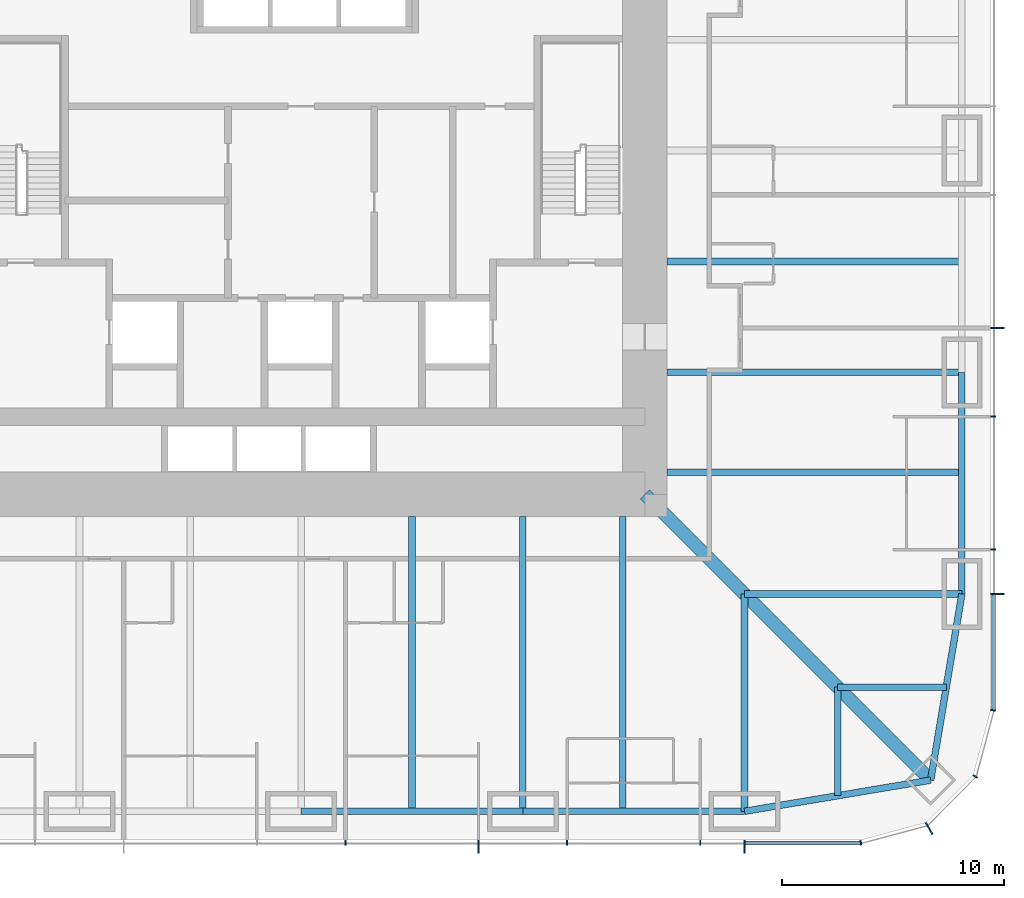
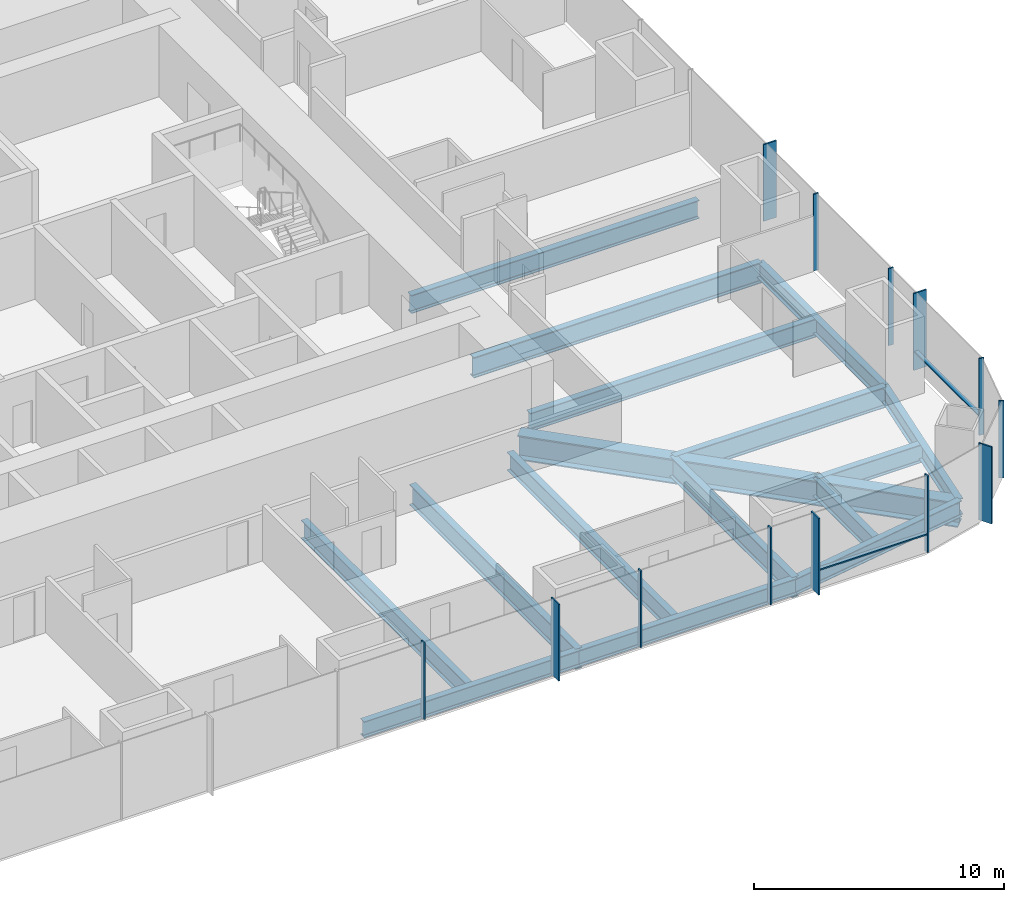
# One storey, part 4 of 16: 16 beams, 15 members, 3 elements without a shape of their own.
"""IFC4 building model written with IfcOpenShell, lengths in metres."""

from ifc_helpers import new_model, si_unit, direction, frame, origin, origin_2d, place, context, subcontext, project, spatial, rectangle, i_section, extrude, material, material_profile, profile_set, type_object, element, aggregate, save


model = new_model("IFC4")

# Units and contexts
model_context = context("Model", 3, precision=1e-05, world=origin(), true_north=direction((0.0, 1.0)))
body_context = subcontext(model_context, "Body", "Model", "MODEL_VIEW")
ifc_project = project(units=[si_unit("LENGTHUNIT", "METRE"), si_unit("AREAUNIT", "SQUARE_METRE"), si_unit("VOLUMEUNIT", "CUBIC_METRE"), si_unit("PLANEANGLEUNIT", "RADIAN"), si_unit("MASSUNIT", "GRAM", prefix="KILO")], contexts=[model_context])

# Site, building, storey
site_placement = place(None, origin())
site = spatial("IfcSite", under=ifc_project, at=site_placement, CompositionType="ELEMENT")
building_placement = place(site_placement, origin())
building = spatial("IfcBuilding", under=site, at=building_placement, Name="Khuree Lantern Residences", CompositionType="ELEMENT")
storey_placement = place(building_placement, frame((0.0, 0.0, 81.0)))
storey = spatial("IfcBuildingStorey", under=building, at=storey_placement, Name="L20", CompositionType="ELEMENT", Elevation=81.0)

# Beams
ifc_material_1 = material(Name="Steel S355", Category="steel")
ifc_material_profile_1 = material_profile(ifc_material_1, i_section(OverallWidth=0.300048828125, OverallDepth=0.889892578125, WebThickness=0.01611328125, FlangeThickness=0.030029296875, FilletRadius=0.030029296875, at=origin_2d()), Name="HE 900 A")
ifc_profile_set_1 = profile_set([ifc_material_profile_1], Name="Steel S355")
beam_type_1 = type_object("IfcBeamType", Name="B-14 SECONDARY BEAM HE 900 A", PredefinedType="BEAM", material=ifc_profile_set_1)
for number, where, z_axis, x_axis, name in (
    (1, (29.800048828125, -5.0, -0.695068359375), (-1.0, 0.0, 0.0), (0.0, -1.0, 0.0), "Secondary beam E4"),
    (2, (29.800048828125, -14.5, -0.695068359375), (-1.0, 0.0, 0.0), (0.0, -1.0, 0.0), "Secondary beam E5"),
):
    element("IfcBeam", number, at=place(storey_placement, frame(where, z_axis=z_axis, x_axis=x_axis)), inside=storey, type_object=beam_type_1, Name=name, PredefinedType="BEAM", context=body_context, shape_type="SweptSolid", body=[
        extrude(i_section(OverallWidth=0.300048828125, OverallDepth=0.889892578125, WebThickness=0.01611328125, FlangeThickness=0.030029296875, FilletRadius=0.030029296875, at=origin_2d()), origin(), (0.0, 0.0, 1.0), 13.300048828125),
    ])
for number, where, z_axis, x_axis, name in (
    (3, (29.09716796875, -24.197021484375, -0.695068359375), (-1.0, 0.0, 0.0), (0.0, -1.0, 0.0), "Secondary beam E6"),
    (4, (24.197021484375, -29.09716796875, -0.695068359375), (0.0, 1.0, 0.0), (-1.0, 0.0, 0.0), "Secondary beam S1"),
):
    element("IfcBeam", number, at=place(storey_placement, frame(where, z_axis=z_axis, x_axis=x_axis)), inside=storey, type_object=beam_type_1, Name=name, PredefinedType="BEAM", context=body_context, shape_type="SweptSolid", body=[
        extrude(i_section(OverallWidth=0.300048828125, OverallDepth=0.889892578125, WebThickness=0.01611328125, FlangeThickness=0.030029296875, FilletRadius=0.030029296875, at=origin_2d()), origin(), (0.0, 0.0, 1.0), 4.900146484375),
    ])
for number, where, z_axis, x_axis, name in (
    (5, (14.5, -29.800048828125, -0.695068359375), (0.0, 1.0, 0.0), (-1.0, 0.0, 0.0), "Secondary beam S2"),
    (6, (5.0, -29.800048828125, -0.695068359375), (0.0, 1.0, 0.0), (-1.0, 0.0, 0.0), "Secondary beam S3"),
):
    element("IfcBeam", number, at=place(storey_placement, frame(where, z_axis=z_axis, x_axis=x_axis)), inside=storey, type_object=beam_type_1, Name=name, PredefinedType="BEAM", context=body_context, shape_type="SweptSolid", body=[
        extrude(i_section(OverallWidth=0.300048828125, OverallDepth=0.889892578125, WebThickness=0.01611328125, FlangeThickness=0.030029296875, FilletRadius=0.030029296875, at=origin_2d()), origin(), (0.0, 0.0, 1.0), 13.300048828125),
    ])
ifc_material_profile_2 = material_profile(ifc_material_1, i_section(OverallWidth=0.300048828125, OverallDepth=0.7900390625, WebThickness=0.014892578125, FlangeThickness=0.028076171875, FilletRadius=0.030029296875, at=origin_2d()), Name="HE 800 A")
ifc_profile_set_2 = profile_set([ifc_material_profile_2], Name="Steel S355")
beam_type_2 = type_object("IfcBeamType", Name="E-14 SPANDREL BEAM HE 800 A", PredefinedType="SPANDREL", material=ifc_profile_set_2)
beam_1_placement = place(storey_placement, frame((29.800048828125, -10.0, -0.64501953125), z_axis=(0.0, -1.0, 0.0), x_axis=(1.0, 0.0, 0.0)))
element("IfcBeam", 7, at=beam_1_placement, inside=storey, type_object=beam_type_2, Name="Spandrel beam E5", PredefinedType="SPANDREL", context=body_context, shape_type="SweptSolid", body=[
    extrude(i_section(OverallWidth=0.300048828125, OverallDepth=0.7900390625, WebThickness=0.014892578125, FlangeThickness=0.028076171875, FilletRadius=0.030029296875, at=origin_2d()), origin(), (0.0, 0.0, 1.0), 10.0),
])
for number, where, z_axis, x_axis, name in (
    (8, (29.800048828125, -20.0, -0.64501953125), (-0.165199022349, -0.986260251158, 0.0), (0.986260251158, -0.165199022349, 0.0), "Spandrel beam E6"),
    (9, (28.39404296875, -28.39404296875, -0.64501953125), (-0.986260251158, -0.165199022349, 0.0), (0.165199022349, -0.986260251158, 0.0), "Spandrel beam S1"),
):
    element("IfcBeam", number, at=place(storey_placement, frame(where, z_axis=z_axis, x_axis=x_axis)), inside=storey, type_object=beam_type_2, Name=name, PredefinedType="SPANDREL", context=body_context, shape_type="SweptSolid", body=[
        extrude(i_section(OverallWidth=0.300048828125, OverallDepth=0.7900390625, WebThickness=0.014892578125, FlangeThickness=0.028076171875, FilletRadius=0.030029296875, at=origin_2d()), origin(), (0.0, 0.0, 1.0), 8.510986328125),
    ])
for number, where, z_axis, x_axis, name in (
    (10, (20.0, -29.800048828125, -0.64501953125), (-1.0, 0.0, 0.0), (0.0, -1.0, 0.0), "Spandrel beam S2"),
    (11, (10.0, -29.800048828125, -0.64501953125), (-1.0, 0.0, 0.0), (0.0, -1.0, 0.0), "Spandrel beam S3"),
):
    element("IfcBeam", number, at=place(storey_placement, frame(where, z_axis=z_axis, x_axis=x_axis)), inside=storey, type_object=beam_type_2, Name=name, PredefinedType="SPANDREL", context=body_context, shape_type="SweptSolid", body=[
        extrude(i_section(OverallWidth=0.300048828125, OverallDepth=0.7900390625, WebThickness=0.014892578125, FlangeThickness=0.028076171875, FilletRadius=0.030029296875, at=origin_2d()), origin(), (0.0, 0.0, 1.0), 10.0),
    ])

# Curtain wall, member
ifc_material_2 = material(Name="Bronze anodised aluminium", Category="aluminium")
curtain_wall_type_1 = type_object("IfcCurtainWallType", Name="CW-T2 TOWER CORNER CURTAIN WALL", PredefinedType="USERDEFINED", material=ifc_material_2)
curtain_wall_1_placement = place(storey_placement, origin())
curtain_wall_1 = element("IfcCurtainWall", 12, at=curtain_wall_1_placement, inside=storey, type_object=curtain_wall_type_1, Name="L20 SOUTH-EAST CORNER CURTAIN WALL", ObjectType="Faceted corner curtain wall", PredefinedType="USERDEFINED")
ifc_material_profile_3 = material_profile(ifc_material_2, rectangle(XDim=0.06494140625, YDim=0.60009765625, at=origin_2d()), Name="F1 65X600")
ifc_profile_set_3 = profile_set([ifc_material_profile_3], Name="Bronze anodised aluminium")
member_type_1 = type_object("IfcMemberType", Name="F1 BRONZE FIN MULLION TOWER 65X600", PredefinedType="MULLION", material=ifc_profile_set_3)
member_1_placement = place(storey_placement, frame((28.324951171875, -30.576171875, 0.0), z_axis=(0.0, 0.0, 1.0), x_axis=(0.86602537092, 0.500000056923, 0.0)))
member_1 = element("IfcMember", 13, at=member_1_placement, type_object=member_type_1, Name="L20 SOUTH-EAST CORNER FIN MULLION 2", PredefinedType="MULLION", context=body_context, shape_type="SweptSolid", body=[
    extrude(rectangle(XDim=0.06494140625, YDim=0.60009765625, at=origin_2d()), origin(), (0.0, 0.0, 1.0), 3.75),
])

# Curtain wall, members
curtain_wall_type_2 = type_object("IfcCurtainWallType", Name="CW-T1 TOWER FACE CURTAIN WALL", PredefinedType="USERDEFINED", material=ifc_material_2)
curtain_wall_2_placement = place(storey_placement, origin())
curtain_wall_2 = element("IfcCurtainWall", 14, at=curtain_wall_2_placement, inside=storey, type_object=curtain_wall_type_2, Name="L20 EAST FACE CURTAIN WALL", ObjectType="Stick-built curtain wall", PredefinedType="USERDEFINED")
member_2_placement = place(storey_placement, frame((31.39990234375, -20.0, 0.0), z_axis=(0.0, 0.0, 1.0), x_axis=(0.0, 1.0, 0.0)))
member_2 = element("IfcMember", 15, at=member_2_placement, type_object=member_type_1, Name="L20 EAST FACE FIN MULLION 5", PredefinedType="MULLION", context=body_context, shape_type="SweptSolid", body=[
    extrude(rectangle(XDim=0.06494140625, YDim=0.60009765625, at=origin_2d()), origin(), (0.0, 0.0, 1.0), 3.75),
])
member_3_placement = place(storey_placement, frame((31.39990234375, -8.0, 0.0), z_axis=(0.0, 0.0, 1.0), x_axis=(0.0, 1.0, 0.0)))
member_3 = element("IfcMember", 16, at=member_3_placement, type_object=member_type_1, Name="L20 EAST FACE FIN MULLION 8", PredefinedType="MULLION", context=body_context, shape_type="SweptSolid", body=[
    extrude(rectangle(XDim=0.06494140625, YDim=0.60009765625, at=origin_2d()), origin(), (0.0, 0.0, 1.0), 3.75),
])

curtain_wall_3_placement = place(storey_placement, origin())
curtain_wall_3 = element("IfcCurtainWall", 17, at=curtain_wall_3_placement, inside=storey, type_object=curtain_wall_type_2, Name="L20 SOUTH FACE CURTAIN WALL", ObjectType="Stick-built curtain wall", PredefinedType="USERDEFINED")
member_4_placement = place(storey_placement, frame((8.0, -31.39990234375, 0.0), z_axis=(0.0, 0.0, 1.0), x_axis=(1.0, 0.0, 0.0)))
member_4 = element("IfcMember", 18, at=member_4_placement, type_object=member_type_1, Name="L20 SOUTH FACE FIN MULLION 53", PredefinedType="MULLION", context=body_context, shape_type="SweptSolid", body=[
    extrude(rectangle(XDim=0.06494140625, YDim=0.60009765625, at=origin_2d()), origin(), (0.0, 0.0, 1.0), 3.75),
])
member_5_placement = place(storey_placement, frame((20.0, -31.39990234375, 0.0), z_axis=(0.0, 0.0, 1.0), x_axis=(1.0, 0.0, 0.0)))
member_5 = element("IfcMember", 19, at=member_5_placement, type_object=member_type_1, Name="L20 SOUTH FACE FIN MULLION 56", PredefinedType="MULLION", context=body_context, shape_type="SweptSolid", body=[
    extrude(rectangle(XDim=0.06494140625, YDim=0.60009765625, at=origin_2d()), origin(), (0.0, 0.0, 1.0), 3.75),
])

# Beams
ifc_material_profile_4 = material_profile(ifc_material_1, i_section(OverallWidth=0.302001953125, OverallDepth=1.008056640625, WebThickness=0.02099609375, FlangeThickness=0.0400390625, FilletRadius=0.030029296875, at=origin_2d()), Name="HE 1000 M")
ifc_profile_set_4 = profile_set([ifc_material_profile_4], Name="Steel S355")
beam_type_3 = type_object("IfcBeamType", Name="G-14 GIRDER HE 1000 M", PredefinedType="BEAM", material=ifc_profile_set_4)
beam_2_placement = place(storey_placement, frame((29.800048828125, -10.0, -0.75390625), z_axis=(-1.0, 0.0, 0.0), x_axis=(0.0, -1.0, 0.0)))
element("IfcBeam", 20, at=beam_2_placement, inside=storey, type_object=beam_type_3, Name="Girder E4", PredefinedType="BEAM", context=body_context, shape_type="SweptSolid", body=[
    extrude(i_section(OverallWidth=0.302001953125, OverallDepth=1.008056640625, WebThickness=0.02099609375, FlangeThickness=0.0400390625, FilletRadius=0.030029296875, at=origin_2d()), origin(), (0.0, 0.0, 1.0), 13.300048828125),
])
for number, where, z_axis, x_axis, name in (
    (21, (29.800048828125, -20.0, -0.75390625), (-1.0, 0.0, 0.0), (0.0, -1.0, 0.0), "Girder E5"),
    (22, (20.0, -29.800048828125, -0.75390625), (0.0, 1.0, 0.0), (-1.0, 0.0, 0.0), "Girder S1"),
):
    element("IfcBeam", number, at=place(storey_placement, frame(where, z_axis=z_axis, x_axis=x_axis)), inside=storey, type_object=beam_type_3, Name=name, PredefinedType="BEAM", context=body_context, shape_type="SweptSolid", body=[
        extrude(i_section(OverallWidth=0.302001953125, OverallDepth=1.008056640625, WebThickness=0.02099609375, FlangeThickness=0.0400390625, FilletRadius=0.030029296875, at=origin_2d()), origin(), (0.0, 0.0, 1.0), 9.800048828125),
    ])
beam_3_placement = place(storey_placement, frame((10.0, -29.800048828125, -0.75390625), z_axis=(0.0, 1.0, 0.0), x_axis=(-1.0, 0.0, 0.0)))
element("IfcBeam", 23, at=beam_3_placement, inside=storey, type_object=beam_type_3, Name="Girder S2", PredefinedType="BEAM", context=body_context, shape_type="SweptSolid", body=[
    extrude(i_section(OverallWidth=0.302001953125, OverallDepth=1.008056640625, WebThickness=0.02099609375, FlangeThickness=0.0400390625, FilletRadius=0.030029296875, at=origin_2d()), origin(), (0.0, 0.0, 1.0), 13.300048828125),
])
ifc_material_profile_5 = material_profile(ifc_material_1, i_section(OverallWidth=0.60009765625, OverallDepth=1.199951171875, WebThickness=0.030029296875, FlangeThickness=0.06005859375, at=origin_2d()), Name="WELDED I 1200X600X30X60")
ifc_profile_set_5 = profile_set([ifc_material_profile_5], Name="Steel S355")
beam_type_4 = type_object("IfcBeamType", Name="GD-14 CORNER GIRDER WELDED I 1200X600X30X60", PredefinedType="BEAM", material=ifc_profile_set_5)
beam_4_placement = place(storey_placement, frame((28.39404296875, -28.39404296875, -0.85009765625), z_axis=(-0.707106781187, 0.707106781187, 0.0), x_axis=(-0.707106781187, -0.707106781187, 0.0)))
element("IfcBeam", 24, at=beam_4_placement, inside=storey, type_object=beam_type_4, Name="Corner girder SE", PredefinedType="BEAM", context=body_context, shape_type="SweptSolid", body=[
    extrude(i_section(OverallWidth=0.60009765625, OverallDepth=1.199951171875, WebThickness=0.030029296875, FlangeThickness=0.06005859375, at=origin_2d()), origin(), (0.0, 0.0, 1.0), 18.23486328125),
])

# Member
ifc_material_profile_6 = material_profile(ifc_material_2, rectangle(XDim=0.06494140625, YDim=0.219970703125, at=origin_2d()), Name="M1 65X220")
ifc_profile_set_6 = profile_set([ifc_material_profile_6], Name="Bronze anodised aluminium")
member_type_2 = type_object("IfcMemberType", Name="M1 BRONZE MULLION TOWER 65X220", PredefinedType="MULLION", material=ifc_profile_set_6)
member_6_placement = place(storey_placement, frame((25.244873046875, -31.211669921875, 0.0), z_axis=(0.0, 0.0, 1.0), x_axis=(0.991444852794, 0.130526257387, 0.0)))
member_6 = element("IfcMember", 25, at=member_6_placement, type_object=member_type_2, Name="L20 SOUTH-EAST CORNER MULLION 1", PredefinedType="MULLION", context=body_context, shape_type="SweptSolid", body=[
    extrude(rectangle(XDim=0.06494140625, YDim=0.219970703125, at=origin_2d()), origin(), (0.0, 0.0, 1.0), 3.75),
])

member_7_placement = place(storey_placement, frame((30.41162109375, -28.22998046875, 0.0), z_axis=(0.0, 0.0, 1.0), x_axis=(0.500000056923, 0.86602537092, 0.0)))
member_7 = element("IfcMember", 26, at=member_7_placement, type_object=member_type_2, Name="L20 SOUTH-EAST CORNER MULLION 3", PredefinedType="MULLION", context=body_context, shape_type="SweptSolid", body=[
    extrude(rectangle(XDim=0.06494140625, YDim=0.219970703125, at=origin_2d()), origin(), (0.0, 0.0, 1.0), 3.75),
])

aggregate(curtain_wall_1, [member_6, member_1, member_7])

member_8_placement = place(storey_placement, frame((31.211669921875, -25.244873046875, 0.0), z_axis=(0.0, 0.0, 1.0), x_axis=(0.130526257387, 0.991444852794, 0.0)))
member_8 = element("IfcMember", 27, at=member_8_placement, type_object=member_type_2, Name="L20 EAST FACE MULLION 4", PredefinedType="MULLION", context=body_context, shape_type="SweptSolid", body=[
    extrude(rectangle(XDim=0.06494140625, YDim=0.219970703125, at=origin_2d()), origin(), (0.0, 0.0, 1.0), 3.75),
])

member_9_placement = place(storey_placement, frame((31.2099609375, -18.0, 0.0), z_axis=(0.0, 0.0, 1.0), x_axis=(0.0, 1.0, 0.0)))
member_9 = element("IfcMember", 28, at=member_9_placement, type_object=member_type_2, Name="L20 EAST FACE MULLION 6", PredefinedType="MULLION", context=body_context, shape_type="SweptSolid", body=[
    extrude(rectangle(XDim=0.06494140625, YDim=0.219970703125, at=origin_2d()), origin(), (0.0, 0.0, 1.0), 3.75),
])

member_10_placement = place(storey_placement, frame((31.2099609375, -12.0, 0.0), z_axis=(0.0, 0.0, 1.0), x_axis=(0.0, 1.0, 0.0)))
member_10 = element("IfcMember", 29, at=member_10_placement, type_object=member_type_2, Name="L20 EAST FACE MULLION 7", PredefinedType="MULLION", context=body_context, shape_type="SweptSolid", body=[
    extrude(rectangle(XDim=0.06494140625, YDim=0.219970703125, at=origin_2d()), origin(), (0.0, 0.0, 1.0), 3.75),
])

member_11_placement = place(storey_placement, frame((2.0, -31.2099609375, 0.0), z_axis=(0.0, 0.0, 1.0), x_axis=(1.0, 0.0, 0.0)))
member_11 = element("IfcMember", 30, at=member_11_placement, type_object=member_type_2, Name="L20 SOUTH FACE MULLION 52", PredefinedType="MULLION", context=body_context, shape_type="SweptSolid", body=[
    extrude(rectangle(XDim=0.06494140625, YDim=0.219970703125, at=origin_2d()), origin(), (0.0, 0.0, 1.0), 3.75),
])

member_12_placement = place(storey_placement, frame((12.0, -31.2099609375, 0.0), z_axis=(0.0, 0.0, 1.0), x_axis=(1.0, 0.0, 0.0)))
member_12 = element("IfcMember", 31, at=member_12_placement, type_object=member_type_2, Name="L20 SOUTH FACE MULLION 54", PredefinedType="MULLION", context=body_context, shape_type="SweptSolid", body=[
    extrude(rectangle(XDim=0.06494140625, YDim=0.219970703125, at=origin_2d()), origin(), (0.0, 0.0, 1.0), 3.75),
])

member_13_placement = place(storey_placement, frame((18.0, -31.2099609375, 0.0), z_axis=(0.0, 0.0, 1.0), x_axis=(1.0, 0.0, 0.0)))
member_13 = element("IfcMember", 32, at=member_13_placement, type_object=member_type_2, Name="L20 SOUTH FACE MULLION 55", PredefinedType="MULLION", context=body_context, shape_type="SweptSolid", body=[
    extrude(rectangle(XDim=0.06494140625, YDim=0.219970703125, at=origin_2d()), origin(), (0.0, 0.0, 1.0), 3.75),
])

ifc_material_profile_7 = material_profile(ifc_material_2, rectangle(XDim=0.179931640625, YDim=0.06494140625, at=origin_2d()), Name="T1 180X65")
ifc_profile_set_7 = profile_set([ifc_material_profile_7], Name="Bronze anodised aluminium")
member_type_3 = type_object("IfcMemberType", Name="TRANSOM T1 TOWER 180X65", PredefinedType="USERDEFINED", material=ifc_profile_set_7)
member_14_placement = place(storey_placement, frame((31.219970703125, -25.201416015625, 0.89990234375), z_axis=(0.0, 1.0, 0.0), x_axis=(-1.0, 0.0, 0.0)))
member_14 = element("IfcMember", 33, at=member_14_placement, type_object=member_type_3, Name="L20 EAST FACE TRANSOM 4.1", ObjectType="Transom", PredefinedType="USERDEFINED", context=body_context, shape_type="SweptSolid", body=[
    extrude(rectangle(XDim=0.179931640625, YDim=0.06494140625, at=origin_2d()), origin(), (0.0, 0.0, 1.0), 5.1689453125),
])

aggregate(curtain_wall_2, [member_8, member_2, member_9, member_10, member_3, member_14])

member_15_placement = place(storey_placement, frame((20.032470703125, -31.219970703125, 0.89990234375), z_axis=(1.0, 0.0, 0.0), x_axis=(0.0, 1.0, 0.0)))
member_15 = element("IfcMember", 34, at=member_15_placement, type_object=member_type_3, Name="L20 SOUTH FACE TRANSOM 56.1", ObjectType="Transom", PredefinedType="USERDEFINED", context=body_context, shape_type="SweptSolid", body=[
    extrude(rectangle(XDim=0.179931640625, YDim=0.06494140625, at=origin_2d()), origin(), (0.0, 0.0, 1.0), 5.1689453125),
])

aggregate(curtain_wall_3, [member_11, member_4, member_12, member_13, member_5, member_15])

save(model, "model.ifc")
